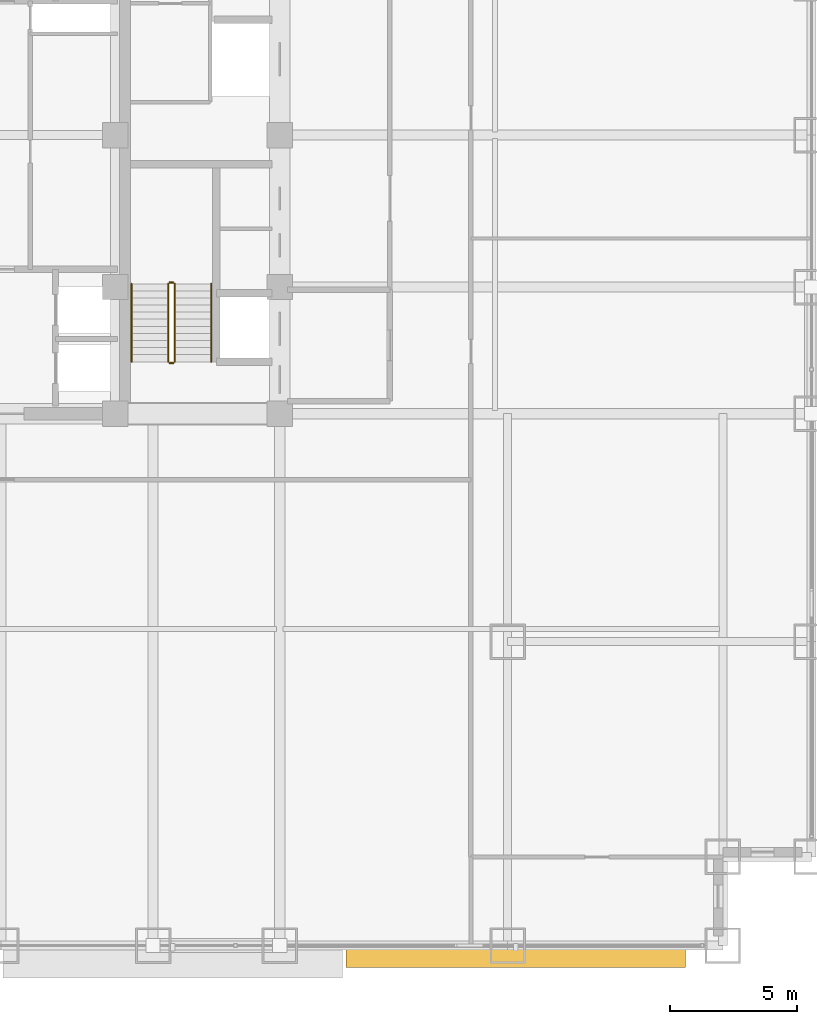
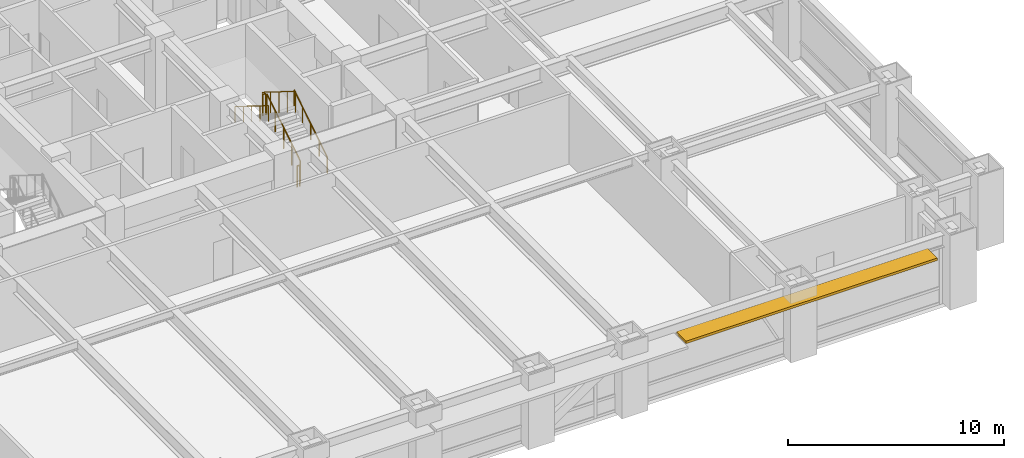
# One storey, part 29 of 31: 6 railings, 1 shading device.
"""IFC4 building model written with IfcOpenShell, lengths in metres."""

from ifc_helpers import new_model, si_unit, direction, frame, origin, origin_2d, place, context, subcontext, project, spatial, rectangle, circle, extrude, source, transform, mapped, material, layer, layer_set, type_object, element, save


model = new_model("IFC4")

# Units and contexts
model_context = context("Model", 3, precision=1e-05, world=origin(), true_north=direction((0.0, 1.0)))
body_context = subcontext(model_context, "Body", "Model", "MODEL_VIEW")
ifc_project = project(units=[si_unit("LENGTHUNIT", "METRE"), si_unit("AREAUNIT", "SQUARE_METRE"), si_unit("VOLUMEUNIT", "CUBIC_METRE"), si_unit("PLANEANGLEUNIT", "RADIAN"), si_unit("MASSUNIT", "GRAM", prefix="KILO")], contexts=[model_context])

# Site, building, storey
site_placement = place(None, origin())
site = spatial("IfcSite", under=ifc_project, at=site_placement, CompositionType="ELEMENT")
building_placement = place(site_placement, origin())
building = spatial("IfcBuilding", under=site, at=building_placement, Name="Khorayat Bourse Tower", CompositionType="ELEMENT")
storey_placement = place(building_placement, frame((0.0, 0.0, 41.0)))
storey = spatial("IfcBuildingStorey", under=building, at=storey_placement, Name="L08", CompositionType="ELEMENT", Elevation=41.0)

# Shading device
ifc_material_1 = material(Name="Precast concrete C45/55", Category="concrete")
ifc_layer = layer(ifc_material_1, 0.139892578125)
ifc_layer_set = layer_set([ifc_layer], Name="Precast concrete C45/55")
shading_device_type = type_object("IfcShadingDeviceType", Name="SHD-WAVE-TRAY-B", PredefinedType="USERDEFINED", material=ifc_layer_set)
shared_shape_1 = source(origin(), body_context, "Body", "SweptSolid", [
    extrude(rectangle(XDim=13.409912109375, YDim=0.892333984375, at=origin_2d()), origin(), (0.0, 0.0, 1.0), 0.139892578125),
])
shading_device_placement = place(storey_placement, frame((20.324951171875, -32.42626953125, 3.18994140625), z_axis=(0.0, 0.0, 1.0), x_axis=(1.0, 0.0, 0.0)))
element("IfcShadingDevice", 1, at=shading_device_placement, inside=storey, type_object=shading_device_type, Name="L08 Sinusoidal Wave Sunshade Tray S-4", ObjectType="SUNSHADE", PredefinedType="USERDEFINED", context=body_context, shape_type="MappedRepresentation", body=[
    mapped(shared_shape_1, transform((0.0, 0.0, 0.0), scale=1.0)),
])

# Railings
ifc_material_2 = material(Name="Powder-coated steel balustrade", Category="steel")
railing_type_1 = type_object("IfcRailingType", Name="RLG-GUARD-1200", PredefinedType="GUARDRAIL", material=ifc_material_2)
shared_shape_2 = source(origin(), body_context, "Body", "SweptSolid", [
    extrude(circle(Radius=0.02392578125, at=origin_2d()), frame((0.0, 0.0, 1.17578125), z_axis=(-1.0, 0.0, 0.0), x_axis=(0.0, -1.0, 0.0)), (0.0, 0.0, 1.0), 0.150146484375),
    extrude(circle(Radius=0.02099609375, at=origin_2d()), origin(), (0.0, 0.0, 1.0), 1.15185546875),
    extrude(circle(Radius=0.02099609375, at=origin_2d()), frame((-0.150146484375, 0.0, 0.0)), (0.0, 0.0, 1.0), 1.15185546875),
])
for number, where, name in (
    (2, (6.800048828125, -5.820068359375, 2.10009765625), "L08 ST-3 stair guard 2"),
    (3, (6.800048828125, -9.0, 0.0), "L08 ST-3 stair guard 4"),
):
    element("IfcRailing", number, at=place(storey_placement, frame(where)), inside=storey, type_object=railing_type_1, Name=name, PredefinedType="GUARDRAIL", context=body_context, shape_type="MappedRepresentation", body=[
        mapped(shared_shape_2, transform((0.0, 0.0, 0.0), scale=1.0)),
    ])
shared_shape_3 = source(origin(), body_context, "Body", "SweptSolid", [
    extrude(circle(Radius=0.02392578125, at=origin_2d()), frame((0.0, 0.0, 1.17578125), z_axis=(0.0, 0.847979421464, 0.530029150871), x_axis=(-1.0, 0.0, 0.0)), (0.0, 0.0, 1.0), 3.632080078125),
    extrude(circle(Radius=0.02099609375, at=origin_2d()), origin(), (0.0, 0.0, 1.0), 1.15185546875),
    extrude(circle(Radius=0.02099609375, at=origin_2d()), frame((0.0, 0.77001953125, 0.481201171875)), (0.0, 0.0, 1.0), 1.15185546875),
    extrude(circle(Radius=0.02099609375, at=origin_2d()), frame((0.0, 1.5400390625, 0.96240234375)), (0.0, 0.0, 1.0), 1.15185546875),
    extrude(circle(Radius=0.02099609375, at=origin_2d()), frame((0.0, 2.309814453125, 1.44384765625)), (0.0, 0.0, 1.0), 1.15185546875),
    extrude(circle(Radius=0.02099609375, at=origin_2d()), frame((0.0, 3.079833984375, 1.925048828125)), (0.0, 0.0, 1.0), 1.15185546875),
])
railing_1_placement = place(storey_placement, frame((6.85009765625, -8.949951171875, 0.175048828125)))
element("IfcRailing", 4, at=railing_1_placement, inside=storey, type_object=railing_type_1, Name="L08 ST-3 stair guard 1", PredefinedType="GUARDRAIL", context=body_context, shape_type="MappedRepresentation", body=[
    mapped(shared_shape_3, transform((0.0, 0.0, 0.0), scale=1.0)),
])
shared_shape_4 = source(origin(), body_context, "Body", "SweptSolid", [
    extrude(circle(Radius=0.02392578125, at=origin_2d()), frame((0.0, 0.0, 1.17578125), z_axis=(0.0, -0.847979421464, 0.530029150871), x_axis=(1.0, 0.0, 0.0)), (0.0, 0.0, 1.0), 3.632080078125),
    extrude(circle(Radius=0.02099609375, at=origin_2d()), origin(), (0.0, 0.0, 1.0), 1.15185546875),
    extrude(circle(Radius=0.02099609375, at=origin_2d()), frame((0.0, -0.77001953125, 0.481201171875)), (0.0, 0.0, 1.0), 1.15185546875),
    extrude(circle(Radius=0.02099609375, at=origin_2d()), frame((0.0, -1.5400390625, 0.96240234375)), (0.0, 0.0, 1.0), 1.15185546875),
    extrude(circle(Radius=0.02099609375, at=origin_2d()), frame((0.0, -2.309814453125, 1.44384765625)), (0.0, 0.0, 1.0), 1.15185546875),
    extrude(circle(Radius=0.02099609375, at=origin_2d()), frame((0.0, -3.079833984375, 1.925048828125)), (0.0, 0.0, 1.0), 1.15185546875),
])
railing_2_placement = place(storey_placement, frame((6.60009765625, -5.8701171875, 2.27490234375)))
element("IfcRailing", 5, at=railing_2_placement, inside=storey, type_object=railing_type_1, Name="L08 ST-3 stair guard 3", PredefinedType="GUARDRAIL", context=body_context, shape_type="MappedRepresentation", body=[
    mapped(shared_shape_4, transform((0.0, 0.0, 0.0), scale=1.0)),
])
ifc_material_3 = material(Name="Brushed bronze stainless-steel handrail", Category="steel")
railing_type_2 = type_object("IfcRailingType", Name="RLG-HAND-900", PredefinedType="HANDRAIL", material=ifc_material_3)
shared_shape_5 = source(origin(), body_context, "Body", "SweptSolid", [
    extrude(circle(Radius=0.02392578125, at=origin_2d()), frame((0.0, 0.0, 0.8759765625), z_axis=(0.0, 0.847979421464, 0.530029150871), x_axis=(-1.0, 0.0, 0.0)), (0.0, 0.0, 1.0), 3.632080078125),
    extrude(circle(Radius=0.02099609375, at=origin_2d()), origin(), (0.0, 0.0, 1.0), 0.851806640625),
    extrude(circle(Radius=0.02099609375, at=origin_2d()), frame((0.0, 0.77001953125, 0.481201171875)), (0.0, 0.0, 1.0), 0.851806640625),
    extrude(circle(Radius=0.02099609375, at=origin_2d()), frame((0.0, 1.5400390625, 0.96240234375)), (0.0, 0.0, 1.0), 0.851806640625),
    extrude(circle(Radius=0.02099609375, at=origin_2d()), frame((0.0, 2.309814453125, 1.44384765625)), (0.0, 0.0, 1.0), 0.851806640625),
    extrude(circle(Radius=0.02099609375, at=origin_2d()), frame((0.0, 3.079833984375, 1.925048828125)), (0.0, 0.0, 1.0), 0.851806640625),
])
railing_3_placement = place(storey_placement, frame((8.300048828125, -8.949951171875, 0.175048828125)))
element("IfcRailing", 6, at=railing_3_placement, inside=storey, type_object=railing_type_2, Name="L08 ST-3 stair handrail 1", PredefinedType="HANDRAIL", context=body_context, shape_type="MappedRepresentation", body=[
    mapped(shared_shape_5, transform((0.0, 0.0, 0.0), scale=1.0)),
])
shared_shape_6 = source(origin(), body_context, "Body", "SweptSolid", [
    extrude(circle(Radius=0.02392578125, at=origin_2d()), frame((0.0, 0.0, 0.8759765625), z_axis=(0.0, -0.847979421464, 0.530029150871), x_axis=(1.0, 0.0, 0.0)), (0.0, 0.0, 1.0), 3.632080078125),
    extrude(circle(Radius=0.02099609375, at=origin_2d()), origin(), (0.0, 0.0, 1.0), 0.851806640625),
    extrude(circle(Radius=0.02099609375, at=origin_2d()), frame((0.0, -0.77001953125, 0.481201171875)), (0.0, 0.0, 1.0), 0.851806640625),
    extrude(circle(Radius=0.02099609375, at=origin_2d()), frame((0.0, -1.5400390625, 0.96240234375)), (0.0, 0.0, 1.0), 0.851806640625),
    extrude(circle(Radius=0.02099609375, at=origin_2d()), frame((0.0, -2.309814453125, 1.44384765625)), (0.0, 0.0, 1.0), 0.851806640625),
    extrude(circle(Radius=0.02099609375, at=origin_2d()), frame((0.0, -3.079833984375, 1.925048828125)), (0.0, 0.0, 1.0), 0.851806640625),
])
railing_4_placement = place(storey_placement, frame((5.14990234375, -5.8701171875, 2.27490234375)))
element("IfcRailing", 7, at=railing_4_placement, inside=storey, type_object=railing_type_2, Name="L08 ST-3 stair handrail 2", PredefinedType="HANDRAIL", context=body_context, shape_type="MappedRepresentation", body=[
    mapped(shared_shape_6, transform((0.0, 0.0, 0.0), scale=1.0)),
])

save(model, "model.ifc")
